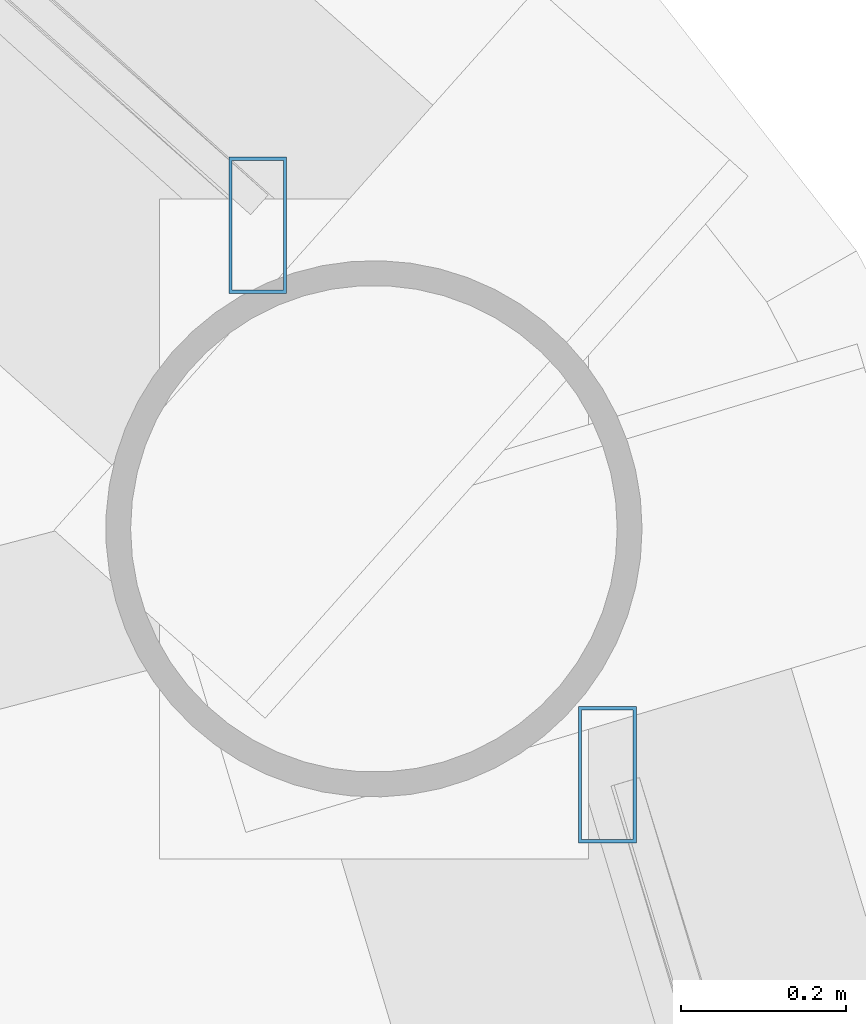
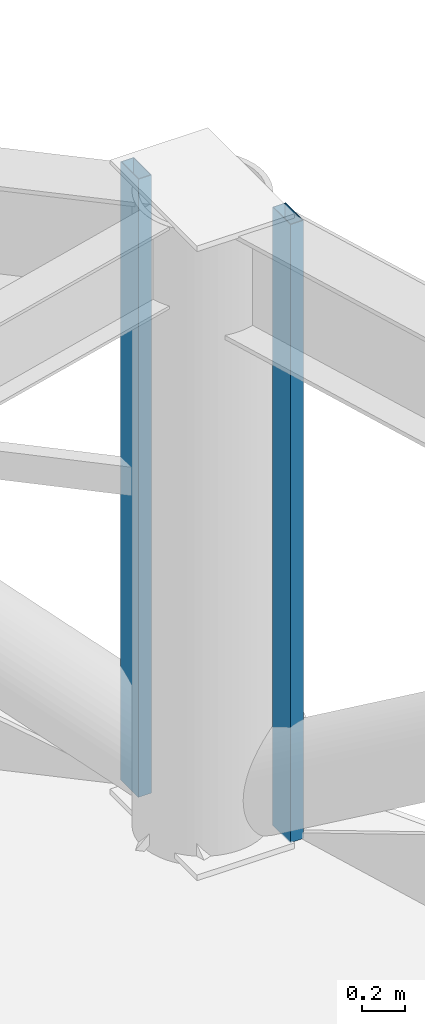
# One storey, part 16 of 30: 2 members, 2 elements without a shape of their own.
"""IFC4 building model written with IfcOpenShell, lengths in metres."""

from ifc_helpers import new_model, si_unit, direction, frame, origin, origin_2d, place, context, subcontext, project, spatial, hollow_rectangle, extrude, material, layer, layer_set, material_profile, profile_set, type_object, element, aggregate, save


model = new_model("IFC4")

# Units and contexts
model_context = context("Model", 3, precision=1e-05, world=origin(), true_north=direction((0.0, 1.0)))
body_context = subcontext(model_context, "Body", "Model", "MODEL_VIEW")
ifc_project = project(units=[si_unit("LENGTHUNIT", "METRE"), si_unit("AREAUNIT", "SQUARE_METRE"), si_unit("VOLUMEUNIT", "CUBIC_METRE"), si_unit("PLANEANGLEUNIT", "RADIAN"), si_unit("MASSUNIT", "GRAM", prefix="KILO")], contexts=[model_context])

# Site, building, storey
site_placement = place(None, origin())
site = spatial("IfcSite", under=ifc_project, at=site_placement, CompositionType="ELEMENT")
building_placement = place(site_placement, origin())
building = spatial("IfcBuilding", under=site, at=building_placement, Name="Vantalir Tower", CompositionType="ELEMENT")
storey_placement = place(building_placement, frame((0.0, 0.0, 189.89990234375)))
storey = spatial("IfcBuildingStorey", under=building, at=storey_placement, Name="L47", CompositionType="ELEMENT", Elevation=189.89990234375)

# Curtain wall, member
ifc_material_1 = material(Name="Champagne-silver PVDF aluminium and double-silver Low-E glass", Category="aluminium")
ifc_layer = layer(ifc_material_1, 0.2099609375)
ifc_layer_set = layer_set([ifc_layer], Name="Champagne-silver PVDF aluminium and double-silver Low-E glass")
curtain_wall_type = type_object("IfcCurtainWallType", Name="CW-DIAMOND-Z3", PredefinedType="USERDEFINED", material=ifc_layer_set)
curtain_wall_1_placement = place(storey_placement, origin())
curtain_wall_1 = element("IfcCurtainWall", 1, at=curtain_wall_1_placement, inside=storey, type_object=curtain_wall_type, Name="L47 Quilted Pyramid-Diamond Curtain Wall S01", ObjectType="UNITISED CURTAIN WALL", PredefinedType="USERDEFINED")
ifc_material_2 = material(Name="Champagne-silver PVDF aluminium 6063-T6", Category="aluminium")
ifc_material_profile = material_profile(ifc_material_2, hollow_rectangle(XDim=0.070068359375, YDim=0.1650390625, WallThickness=0.00390625, at=origin_2d()), Name="Champagne-silver PVDF aluminium 6063-T6")
ifc_profile_set = profile_set([ifc_material_profile], Name="Champagne-silver PVDF aluminium 6063-T6")
member_type = type_object("IfcMemberType", Name="CWM-165x70", PredefinedType="MULLION", material=ifc_profile_set)
member_1_placement = place(storey_placement, frame((51.4208984375, 34.7958984375, 0.045166015625), z_axis=(0.0, 0.0, 1.0), x_axis=(1.0, 0.0, 0.0)))
member_1 = element("IfcMember", 2, at=member_1_placement, type_object=member_type, Name="CW-L47-S01 Mullion 2", PredefinedType="MULLION", context=body_context, shape_type="SweptSolid", body=[
    extrude(hollow_rectangle(XDim=0.070068359375, YDim=0.1650390625, WallThickness=0.00390625, at=origin_2d()), origin(), (0.0, 0.0, 1.0), 3.47998046875),
])
aggregate(curtain_wall_1, [member_1])

curtain_wall_2_placement = place(storey_placement, origin())
curtain_wall_2 = element("IfcCurtainWall", 3, at=curtain_wall_2_placement, inside=storey, type_object=curtain_wall_type, Name="L47 Quilted Pyramid-Diamond Curtain Wall S02", ObjectType="UNITISED CURTAIN WALL", PredefinedType="USERDEFINED")
member_2_placement = place(storey_placement, frame((50.9970703125, 35.4619140625, 0.045166015625), z_axis=(0.0, 0.0, 1.0), x_axis=(1.0, 0.0, 0.0)))
member_2 = element("IfcMember", 4, at=member_2_placement, type_object=member_type, Name="CW-L47-S02 Mullion 1", PredefinedType="MULLION", context=body_context, shape_type="SweptSolid", body=[
    extrude(hollow_rectangle(XDim=0.070068359375, YDim=0.1650390625, WallThickness=0.00390625, at=origin_2d()), origin(), (0.0, 0.0, 1.0), 3.47998046875),
])
aggregate(curtain_wall_2, [member_2])

save(model, "model.ifc")
